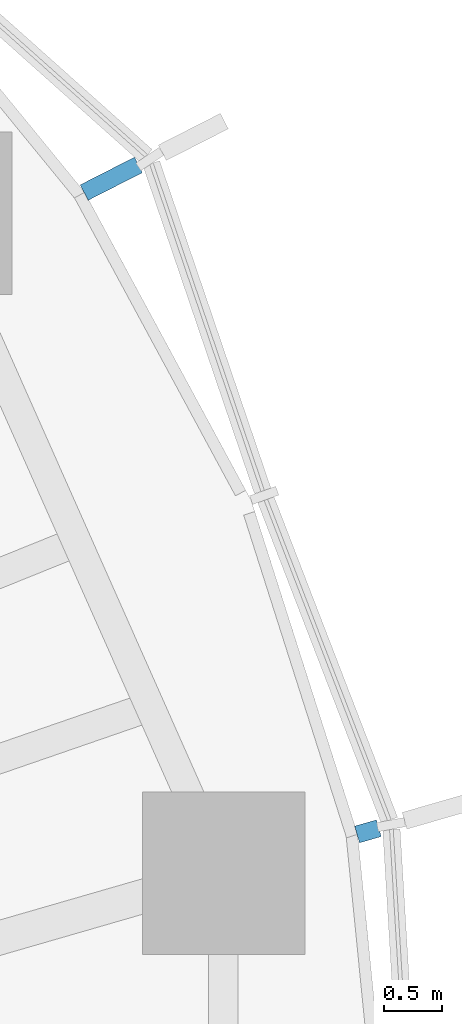
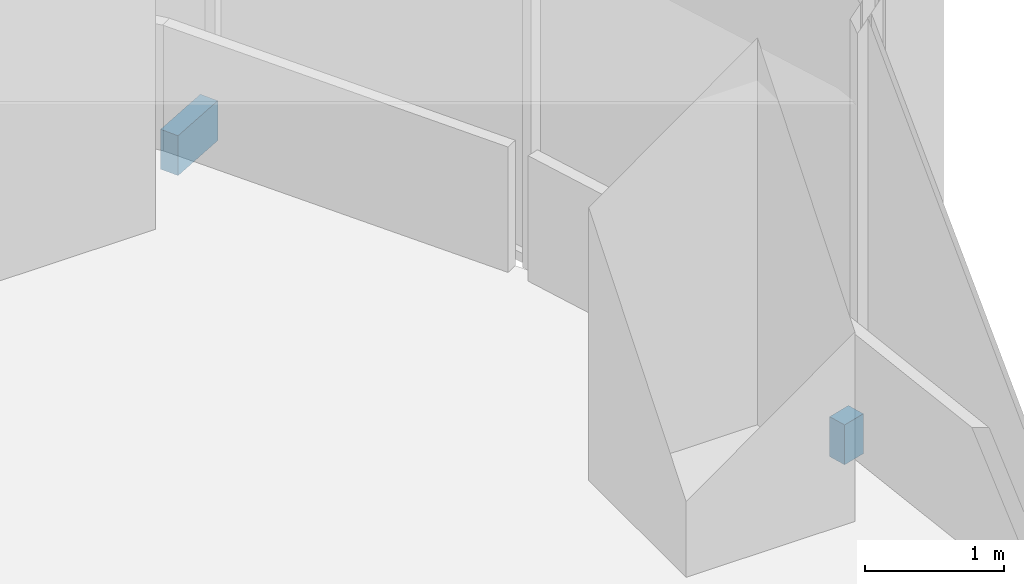
# One storey, part 16 of 18: 2 discrete accessories.
"""IFC4 building model written with IfcOpenShell, lengths in metres."""

import ifcopenshell
import ifcopenshell.guid

model = None  # the IFC model being written
_history = None  # IfcOwnerHistory: only IFC2X3 demands one
_inside = {}  # id of a spatial element -> (the spatial element, [elements in it])
_under = {}  # id of a project, library or spatial element -> (it, [spatial elements below it])
_declared = {}  # id of a project -> (the project, [libraries it declares])
_typed = {}  # id of a type object -> (the type object, [elements of that type])
_made_of = {}  # id of a material, layer set ... -> (it, [elements and type objects made of it])


def new_model(schema):
    """Start an empty IFC model of exactly this schema.

    Asked for "IFC4X3", IfcOpenShell would pick the latest addendum, in which some entities
    have other attributes; the version numbers below select the first issue.
    IFC2X3 requires an IfcOwnerHistory on every rooted entity: one is made here for all.
    """
    global model, _history
    if schema == "IFC4X3":
        model = ifcopenshell.file(schema_version=(4, 3, 0, 0))
    else:
        model = ifcopenshell.file(schema=schema)
    _inside.clear()
    _under.clear()
    _declared.clear()
    _typed.clear()
    _made_of.clear()
    _history = None
    if model.schema == "IFC2X3":
        org = make("IfcOrganization", Name="unknown")
        user = make(
            "IfcPersonAndOrganization",
            ThePerson=make("IfcPerson", FamilyName="unknown"),
            TheOrganization=org,
        )
        app = make(
            "IfcApplication",
            ApplicationDeveloper=org,
            Version="unknown",
            ApplicationFullName="unknown",
            ApplicationIdentifier="unknown",
        )
        _history = make(
            "IfcOwnerHistory",
            OwningUser=user,
            OwningApplication=app,
            ChangeAction="ADDED",
            CreationDate=0,
        )
    return model


def make(cls, **values):
    """One entity of the class cls with the attributes given. An attribute that is None is left unset."""
    return model.create_entity(
        cls, **{name: value for name, value in values.items() if value is not None}
    )


def rooted(cls, **values):
    """An entity with a GlobalId (a new one), such as an element, a storey or a relation."""
    return make(cls, GlobalId=ifcopenshell.guid.new(), OwnerHistory=_history, **values)


def si_unit(unit_type, name, prefix=None):
    """IfcSIUnit, for example si_unit("LENGTHUNIT", "METRE", prefix="MILLI")."""
    return make("IfcSIUnit", UnitType=unit_type, Prefix=prefix, Name=name)


def assignment(units):
    """IfcUnitAssignment: the units of a project."""
    return None if units is None else make("IfcUnitAssignment", Units=units)


def point(xyz):
    """IfcCartesianPoint."""
    return None if xyz is None else make("IfcCartesianPoint", Coordinates=xyz)


def direction(xyz):
    """IfcDirection."""
    return None if xyz is None else make("IfcDirection", DirectionRatios=xyz)


def frame(location, z_axis=None, x_axis=None):
    """IfcAxis2Placement3D, a coordinate frame: its origin and axes. An axis left out is left unset."""
    return make(
        "IfcAxis2Placement3D",
        Location=point(location),
        Axis=direction(z_axis),
        RefDirection=direction(x_axis),
    )


def frame_2d(location, x_axis=None):
    """IfcAxis2Placement2D, a coordinate frame in the plane: its origin and x axis."""
    return make(
        "IfcAxis2Placement2D", Location=point(location), RefDirection=direction(x_axis)
    )


def origin():
    """The frame at (0, 0, 0) with its axes left unset."""
    return frame((0.0, 0.0, 0.0))


def origin_2d():
    """The frame at (0, 0) in the plane with its x axis left unset."""
    return frame_2d((0.0, 0.0))


def place(relative_to, where):
    """IfcLocalPlacement: puts the frame where relative to a parent placement (None: the world)."""
    return make(
        "IfcLocalPlacement", PlacementRelTo=relative_to, RelativePlacement=where
    )


def context(
    kind, dimensions, precision=None, world=None, true_north=None, identifier=None
):
    """IfcGeometricRepresentationContext, for example the 3D "Model" context."""
    return make(
        "IfcGeometricRepresentationContext",
        ContextIdentifier=identifier,
        ContextType=kind,
        CoordinateSpaceDimension=dimensions,
        Precision=precision,
        WorldCoordinateSystem=world,
        TrueNorth=true_north,
    )


def subcontext(parent, identifier, kind, view, scale=None):
    """IfcGeometricRepresentationSubContext, for example "Body" below "Model"."""
    return make(
        "IfcGeometricRepresentationSubContext",
        ContextIdentifier=identifier,
        ContextType=kind,
        ParentContext=parent,
        TargetScale=scale,
        TargetView=view,
    )


def project(units=None, contexts=None):
    """IfcProject with its units and contexts."""
    return rooted(
        "IfcProject",
        Name="project",
        RepresentationContexts=contexts,
        UnitsInContext=assignment(units),
    )


def spatial(cls, under=None, at=None, **own):
    """A site, building, storey or space (cls), placed at a placement, below another one or the project."""
    s = rooted(cls, ObjectPlacement=at, **own)
    if under is not None:
        _under.setdefault(under.id(), (under, []))[1].append(s)
    return s


def profile(cls, at=None, kind="AREA", **sizes):
    """A parametric profile (cls). Its sizes go by their IFC names, for example OverallWidth=200.0."""
    return make(cls, ProfileType=kind, Position=at, **sizes)


def rectangle(**sizes):
    """IfcRectangleProfileDef."""
    return profile("IfcRectangleProfileDef", **sizes)


def extrude(swept, where, along, depth):
    """IfcExtrudedAreaSolid: the profile swept, set in the frame where, extruded along a direction by depth."""
    return make(
        "IfcExtrudedAreaSolid",
        SweptArea=swept,
        Position=where,
        ExtrudedDirection=direction(along),
        Depth=depth,
    )


def shape(context_of_items, identifier, shape_type, items):
    """IfcShapeRepresentation: the items that make up one representation, for example the "Body"."""
    return make(
        "IfcShapeRepresentation",
        ContextOfItems=context_of_items,
        RepresentationIdentifier=identifier,
        RepresentationType=shape_type,
        Items=items,
    )


def material(Name=None, Category=None):
    """IfcMaterial."""
    return make("IfcMaterial", Name=Name, Category=Category)


def made_of(thing, what):
    """Note that an element or type object is made of a material, layer set ...; save() writes the relation."""
    if what is not None:
        _made_of.setdefault(what.id(), (what, []))[1].append(thing)
    return thing


def type_object(cls, material=None, **own):
    """A type object (cls), such as IfcWallType, which elements share."""
    return made_of(rooted(cls, **own), material)


def element(
    cls,
    number,
    at=None,
    inside=None,
    cuts=None,
    type_object=None,
    material=None,
    context=None,
    identifier="Body",
    shape_type=None,
    held_by="IfcProductDefinitionShape",
    body=None,
    shapes=None,
    **own,
):
    """One element of the class cls, such as IfcWall. Its Tag is "e" and its number.

    at: its placement. inside: the storey or other place that contains it. cuts: it is an
    opening in that element (IfcRelVoidsElement). A single representation is given by context,
    identifier, shape_type and body (its items); several are given by shapes. held_by: the class
    of the entity that holds the representations. save() writes the other relations.
    """
    e = rooted(cls, Tag="e%d" % number, ObjectPlacement=at, **own)
    if body is not None:
        shapes = [shape(context, identifier, shape_type, body)]
    if shapes is not None:
        e.Representation = make(held_by, Representations=shapes)
    if inside is not None:
        _inside.setdefault(inside.id(), (inside, []))[1].append(e)
    if cuts is not None:
        rooted(
            "IfcRelVoidsElement", RelatingBuildingElement=cuts, RelatedOpeningElement=e
        )
    if type_object is not None:
        _typed.setdefault(type_object.id(), (type_object, []))[1].append(e)
    return made_of(e, material)


def aggregate(whole, parts):
    """IfcRelAggregates: a whole, such as a stair, and the parts it consists of."""
    return rooted("IfcRelAggregates", RelatingObject=whole, RelatedObjects=parts)


def save(model, path):
    """Write the relations noted so far, then the file.

    IfcRelAggregates (storeys below a building ...), IfcRelContainedInSpatialStructure (elements
    in a storey), IfcRelDefinesByType, IfcRelAssociatesMaterial and IfcRelDeclares: one each for
    every whole, place, type object, material and project.
    """
    for whole, parts in _under.values():
        aggregate(whole, parts)
    for where, things in _inside.values():
        rooted(
            "IfcRelContainedInSpatialStructure",
            RelatedElements=things,
            RelatingStructure=where,
        )
    for kind, things in _typed.values():
        rooted("IfcRelDefinesByType", RelatedObjects=things, RelatingType=kind)
    for what, things in _made_of.values():
        rooted("IfcRelAssociatesMaterial", RelatedObjects=things, RelatingMaterial=what)
    for by, libraries in _declared.values():
        rooted("IfcRelDeclares", RelatingContext=by, RelatedDefinitions=libraries)
    model.write(path)


model = new_model("IFC4")

# Units and contexts
model_context = context("Model", 3, precision=1e-05, world=origin(), true_north=direction((0.0, 1.0)))
body_context = subcontext(model_context, "Body", "Model", "MODEL_VIEW")
ifc_project = project(units=[si_unit("LENGTHUNIT", "METRE"), si_unit("AREAUNIT", "SQUARE_METRE"), si_unit("VOLUMEUNIT", "CUBIC_METRE"), si_unit("PLANEANGLEUNIT", "RADIAN"), si_unit("MASSUNIT", "GRAM", prefix="KILO")], contexts=[model_context])

# Site, building, storey
site_placement = place(None, origin())
site = spatial("IfcSite", under=ifc_project, at=site_placement, CompositionType="ELEMENT")
building_placement = place(site_placement, origin())
building = spatial("IfcBuilding", under=site, at=building_placement, Name="Ghaith Harvest Tower", CompositionType="ELEMENT")
storey_placement = place(building_placement, frame((0.0, 0.0, 176.39990234375)))
storey = spatial("IfcBuildingStorey", under=building, at=storey_placement, Name="L38", CompositionType="ELEMENT", Elevation=176.39990234375)

# Discrete accessories
ifc_material_1 = material(Name="Stainless steel grade 1.4401", Category="steel")
discrete_accessory_type_1 = type_object("IfcDiscreteAccessoryType", Name="CURTAIN WALL BRACKET 195", PredefinedType="BRACKET", material=ifc_material_1)
discrete_accessory_1_placement = place(storey_placement, frame((30.528076171875, 8.8232421875, -0.25), z_axis=(0.0, 0.0, 1.0), x_axis=(0.960680349985, 0.277656739792, 0.0)))
element("IfcDiscreteAccessory", 1, at=discrete_accessory_1_placement, inside=storey, type_object=discrete_accessory_type_1, Name="CW-L bracket 1 bay 02 L38", PredefinedType="BRACKET", context=body_context, shape_type="SweptSolid", body=[
    extrude(rectangle(XDim=0.195068359375, YDim=0.14990234375, at=origin_2d()), origin(), (0.0, 0.0, 1.0), 0.35009765625),
])
ifc_material_2 = material(Name="Stainless steel grade 1.4401", Category="steel")
discrete_accessory_type_2 = type_object("IfcDiscreteAccessoryType", Name="CURTAIN WALL BRACKET 525", PredefinedType="BRACKET", material=ifc_material_2)
discrete_accessory_2_placement = place(storey_placement, frame((28.318115234375, 14.442626953125, -0.25), z_axis=(0.0, 0.0, 1.0), x_axis=(0.890830752257, 0.454335306611, 0.0)))
element("IfcDiscreteAccessory", 2, at=discrete_accessory_2_placement, inside=storey, type_object=discrete_accessory_type_2, Name="CW-L bracket 3 bay 02 L38", PredefinedType="BRACKET", context=body_context, shape_type="SweptSolid", body=[
    extrude(rectangle(XDim=0.52490234375, YDim=0.14990234375, at=origin_2d()), origin(), (0.0, 0.0, 1.0), 0.35009765625),
])

save(model, "model.ifc")
